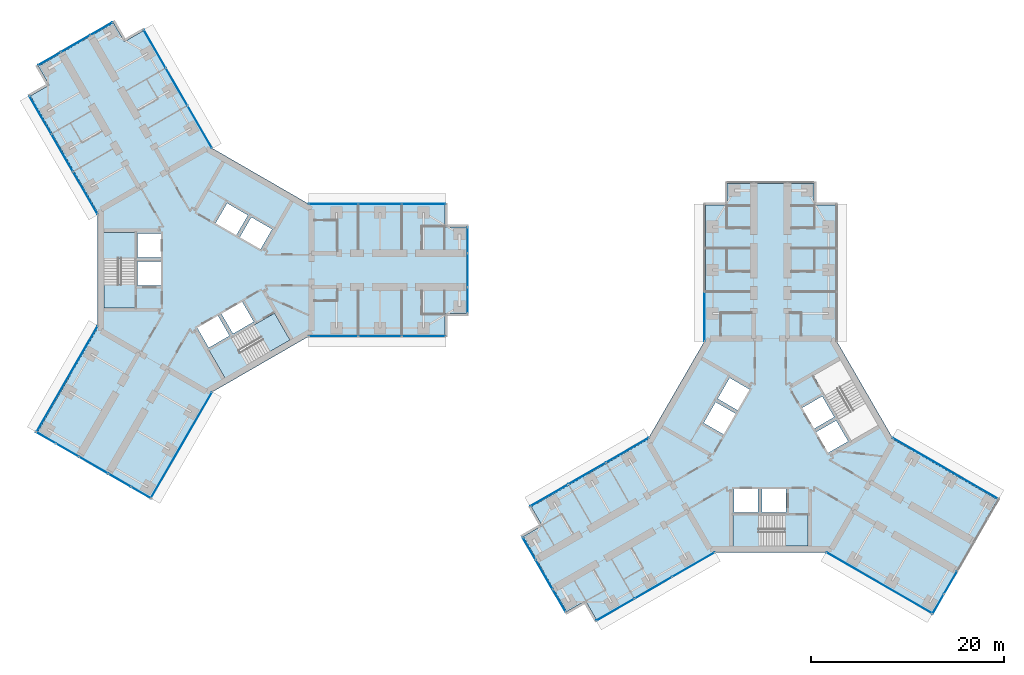
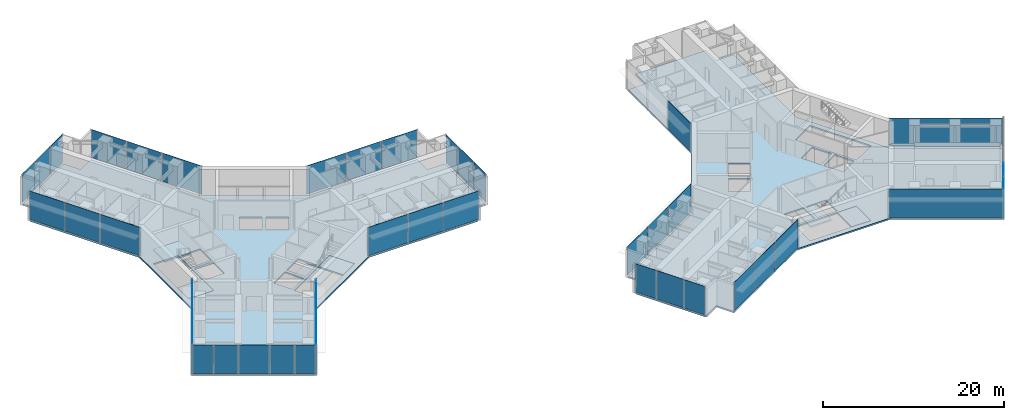
# One storey, part 13 of 23: 39 plates, 8 slabs, 19 elements without a shape of their own.
"""IFC4 building model written with IfcOpenShell, lengths in metres."""

from ifc_helpers import new_model, si_unit, direction, frame, origin, origin_2d, place, context, subcontext, project, spatial, polyline, rectangle, outline, extrude, material, layer, layer_set, type_object, element, aggregate, save


model = new_model("IFC4")

# Units and contexts
model_context = context("Model", 3, precision=1e-05, world=origin(), true_north=direction((0.0, 1.0)))
body_context = subcontext(model_context, "Body", "Model", "MODEL_VIEW")
ifc_project = project(units=[si_unit("LENGTHUNIT", "METRE"), si_unit("AREAUNIT", "SQUARE_METRE"), si_unit("VOLUMEUNIT", "CUBIC_METRE"), si_unit("PLANEANGLEUNIT", "RADIAN"), si_unit("MASSUNIT", "GRAM", prefix="KILO")], contexts=[model_context])

# Site, building, storey
site_placement = place(None, origin())
site = spatial("IfcSite", under=ifc_project, at=site_placement, CompositionType="ELEMENT")
building_placement = place(site_placement, origin())
building = spatial("IfcBuilding", under=site, at=building_placement, Name="Upepo Twin Towers", CompositionType="ELEMENT")
storey_placement = place(building_placement, frame((0.0, 0.0, 153.5)))
storey = spatial("IfcBuildingStorey", under=building, at=storey_placement, Name="L37", CompositionType="ELEMENT", Elevation=153.5)

# Curtain wall, plates
ifc_material_1 = material(Name="Aluminium and fritted glass", Category="aluminium")
curtain_wall_type = type_object("IfcCurtainWallType", Name="Tower curtain wall TW2, fritted glass", PredefinedType="NOTDEFINED", material=ifc_material_1)
curtain_wall_1_placement = place(storey_placement, origin())
curtain_wall_1 = element("IfcCurtainWall", 1, at=curtain_wall_1_placement, inside=storey, type_object=curtain_wall_type, Name="T1 L37 wing A flank L curtain wall", PredefinedType="NOTDEFINED")
ifc_material_2 = material(Name="Ceramic-fritted laminated glass", Category="glass")
ifc_layer_1 = layer(ifc_material_2, 0.031982421875)
ifc_layer_set_1 = layer_set([ifc_layer_1], Name="Fritted glass panel, 45 per cent dot frit, 32 mm double glazed")
plate_type_1 = type_object("IfcPlateType", Name="Fritted glass panel, 45 per cent dot frit, 32 mm double glazed", PredefinedType="CURTAIN_PANEL", material=ifc_layer_set_1)
plate_1_placement = place(storey_placement, frame((13.184814453125, 6.85009765625, 0.14990234375), z_axis=(0.0, 0.0, 1.0), x_axis=(1.0, 0.0, 0.0)))
plate_1 = element("IfcPlate", 2, at=plate_1_placement, type_object=plate_type_1, Name="T1 L37 wing A flank L curtain wall panel 1", PredefinedType="CURTAIN_PANEL", context=body_context, shape_type="SweptSolid", body=[
    extrude(rectangle(XDim=5.0654296875, YDim=0.031982421875, at=origin_2d()), origin(), (0.0, 0.0, 1.0), 3.85009765625),
])
plate_2_placement = place(storey_placement, frame((18.0, 6.85009765625, 0.14990234375), z_axis=(0.0, 0.0, 1.0), x_axis=(1.0, 0.0, 0.0)))
plate_2 = element("IfcPlate", 3, at=plate_2_placement, type_object=plate_type_1, Name="T1 L37 wing A flank L curtain wall panel 2", PredefinedType="CURTAIN_PANEL", context=body_context, shape_type="SweptSolid", body=[
    extrude(rectangle(XDim=4.43505859375, YDim=0.031982421875, at=origin_2d()), origin(), (0.0, 0.0, 1.0), 3.85009765625),
])
plate_3_placement = place(storey_placement, frame((22.53369140625, 6.85009765625, 0.14990234375), z_axis=(0.0, 0.0, 1.0), x_axis=(1.0, 0.0, 0.0)))
plate_3 = element("IfcPlate", 4, at=plate_3_placement, type_object=plate_type_1, Name="T1 L37 wing A flank L curtain wall panel 3", PredefinedType="CURTAIN_PANEL", context=body_context, shape_type="SweptSolid", body=[
    extrude(rectangle(XDim=4.50244140625, YDim=0.031982421875, at=origin_2d()), origin(), (0.0, 0.0, 1.0), 3.85009765625),
])
aggregate(curtain_wall_1, [plate_1, plate_2, plate_3])

curtain_wall_2_placement = place(storey_placement, origin())
curtain_wall_2 = element("IfcCurtainWall", 5, at=curtain_wall_2_placement, inside=storey, type_object=curtain_wall_type, Name="T1 L37 wing A flank R curtain wall", PredefinedType="NOTDEFINED")
plate_4_placement = place(storey_placement, frame((22.53369140625, -6.85009765625, 0.14990234375), z_axis=(0.0, 0.0, 1.0), x_axis=(-1.0, 0.0, 0.0)))
plate_4 = element("IfcPlate", 6, at=plate_4_placement, type_object=plate_type_1, Name="T1 L37 wing A flank R curtain wall panel 1", PredefinedType="CURTAIN_PANEL", context=body_context, shape_type="SweptSolid", body=[
    extrude(rectangle(XDim=4.50244140625, YDim=0.031982421875, at=origin_2d()), origin(), (0.0, 0.0, 1.0), 3.85009765625),
])
plate_5_placement = place(storey_placement, frame((18.0, -6.85009765625, 0.14990234375), z_axis=(0.0, 0.0, 1.0), x_axis=(-1.0, 0.0, 0.0)))
plate_5 = element("IfcPlate", 7, at=plate_5_placement, type_object=plate_type_1, Name="T1 L37 wing A flank R curtain wall panel 2", PredefinedType="CURTAIN_PANEL", context=body_context, shape_type="SweptSolid", body=[
    extrude(rectangle(XDim=4.43505859375, YDim=0.031982421875, at=origin_2d()), origin(), (0.0, 0.0, 1.0), 3.85009765625),
])
plate_6_placement = place(storey_placement, frame((13.184814453125, -6.85009765625, 0.14990234375), z_axis=(0.0, 0.0, 1.0), x_axis=(-1.0, 0.0, 0.0)))
plate_6 = element("IfcPlate", 8, at=plate_6_placement, type_object=plate_type_1, Name="T1 L37 wing A flank R curtain wall panel 3", PredefinedType="CURTAIN_PANEL", context=body_context, shape_type="SweptSolid", body=[
    extrude(rectangle(XDim=5.0654296875, YDim=0.031982421875, at=origin_2d()), origin(), (0.0, 0.0, 1.0), 3.85009765625),
])
aggregate(curtain_wall_2, [plate_4, plate_5, plate_6])

# Curtain wall, plate
curtain_wall_3_placement = place(storey_placement, origin())
curtain_wall_3 = element("IfcCurtainWall", 9, at=curtain_wall_3_placement, inside=storey, type_object=curtain_wall_type, Name="T1 L37 wing A nose curtain wall", PredefinedType="NOTDEFINED")
plate_7_placement = place(storey_placement, frame((27.10009765625, 0.0, 0.14990234375), z_axis=(0.0, 0.0, 1.0), x_axis=(0.0, 1.0, 0.0)))
plate_7 = element("IfcPlate", 10, at=plate_7_placement, type_object=plate_type_1, Name="T1 L37 wing A nose curtain wall panel 2", PredefinedType="CURTAIN_PANEL", context=body_context, shape_type="SweptSolid", body=[
    extrude(rectangle(XDim=3.43505859375, YDim=0.031982421875, at=origin_2d()), origin(), (0.0, 0.0, 1.0), 3.85009765625),
])

# Curtain wall, plates
curtain_wall_4_placement = place(storey_placement, origin())
curtain_wall_4 = element("IfcCurtainWall", 11, at=curtain_wall_4_placement, inside=storey, type_object=curtain_wall_type, Name="T1 L37 wing B flank L curtain wall", PredefinedType="NOTDEFINED")
plate_8_placement = place(storey_placement, frame((-12.524658203125, 7.993408203125, 0.14990234375), z_axis=(0.0, 0.0, 1.0), x_axis=(-0.500000010308, 0.866025397833, 0.0)))
plate_8 = element("IfcPlate", 12, at=plate_8_placement, type_object=plate_type_1, Name="T1 L37 wing B flank L curtain wall panel 1", PredefinedType="CURTAIN_PANEL", context=body_context, shape_type="SweptSolid", body=[
    extrude(rectangle(XDim=5.0654296875, YDim=0.031982421875, at=origin_2d()), origin(), (0.0, 0.0, 1.0), 3.85009765625),
])
plate_9_placement = place(storey_placement, frame((-14.932373046875, 12.16357421875, 0.14990234375), z_axis=(0.0, 0.0, 1.0), x_axis=(-0.500000010308, 0.866025397833, 0.0)))
plate_9 = element("IfcPlate", 13, at=plate_9_placement, type_object=plate_type_1, Name="T1 L37 wing B flank L curtain wall panel 2", PredefinedType="CURTAIN_PANEL", context=body_context, shape_type="SweptSolid", body=[
    extrude(rectangle(XDim=4.43505859375, YDim=0.031982421875, at=origin_2d()), origin(), (0.0, 0.0, 1.0), 3.85009765625),
])
plate_10_placement = place(storey_placement, frame((-17.19921875, 16.08984375, 0.14990234375), z_axis=(0.0, 0.0, 1.0), x_axis=(-0.500000010308, 0.866025397833, 0.0)))
plate_10 = element("IfcPlate", 14, at=plate_10_placement, type_object=plate_type_1, Name="T1 L37 wing B flank L curtain wall panel 3", PredefinedType="CURTAIN_PANEL", context=body_context, shape_type="SweptSolid", body=[
    extrude(rectangle(XDim=4.50244140625, YDim=0.031982421875, at=origin_2d()), origin(), (0.0, 0.0, 1.0), 3.85009765625),
])
aggregate(curtain_wall_4, [plate_8, plate_9, plate_10])

curtain_wall_5_placement = place(storey_placement, origin())
curtain_wall_5 = element("IfcCurtainWall", 15, at=curtain_wall_5_placement, inside=storey, type_object=curtain_wall_type, Name="T1 L37 wing B flank R curtain wall", PredefinedType="NOTDEFINED")
plate_11_placement = place(storey_placement, frame((-5.334716796875, 22.939697265625, 0.14990234375), z_axis=(0.0, 0.0, 1.0), x_axis=(0.500000010308, -0.866025397833, 0.0)))
plate_11 = element("IfcPlate", 16, at=plate_11_placement, type_object=plate_type_1, Name="T1 L37 wing B flank R curtain wall panel 1", PredefinedType="CURTAIN_PANEL", context=body_context, shape_type="SweptSolid", body=[
    extrude(rectangle(XDim=4.50244140625, YDim=0.031982421875, at=origin_2d()), origin(), (0.0, 0.0, 1.0), 3.85009765625),
])
plate_12_placement = place(storey_placement, frame((-3.067626953125, 19.013427734375, 0.14990234375), z_axis=(0.0, 0.0, 1.0), x_axis=(0.500000010308, -0.866025397833, 0.0)))
plate_12 = element("IfcPlate", 17, at=plate_12_placement, type_object=plate_type_1, Name="T1 L37 wing B flank R curtain wall panel 2", PredefinedType="CURTAIN_PANEL", context=body_context, shape_type="SweptSolid", body=[
    extrude(rectangle(XDim=4.43505859375, YDim=0.031982421875, at=origin_2d()), origin(), (0.0, 0.0, 1.0), 3.85009765625),
])
plate_13_placement = place(storey_placement, frame((-0.66015625, 14.84326171875, 0.14990234375), z_axis=(0.0, 0.0, 1.0), x_axis=(0.500000010308, -0.866025397833, 0.0)))
plate_13 = element("IfcPlate", 18, at=plate_13_placement, type_object=plate_type_1, Name="T1 L37 wing B flank R curtain wall panel 3", PredefinedType="CURTAIN_PANEL", context=body_context, shape_type="SweptSolid", body=[
    extrude(rectangle(XDim=5.0654296875, YDim=0.031982421875, at=origin_2d()), origin(), (0.0, 0.0, 1.0), 3.85009765625),
])
aggregate(curtain_wall_5, [plate_11, plate_12, plate_13])

# Curtain wall, plate
curtain_wall_6_placement = place(storey_placement, origin())
curtain_wall_6 = element("IfcCurtainWall", 19, at=curtain_wall_6_placement, inside=storey, type_object=curtain_wall_type, Name="T1 L37 wing B nose curtain wall", PredefinedType="NOTDEFINED")
plate_14_placement = place(storey_placement, frame((-13.550048828125, 23.46923828125, 0.14990234375), z_axis=(0.0, 0.0, 1.0), x_axis=(-0.866025386174, -0.500000030502, 0.0)))
plate_14 = element("IfcPlate", 20, at=plate_14_placement, type_object=plate_type_1, Name="T1 L37 wing B nose curtain wall panel 2", PredefinedType="CURTAIN_PANEL", context=body_context, shape_type="SweptSolid", body=[
    extrude(rectangle(XDim=3.43505859375, YDim=0.031982421875, at=origin_2d()), origin(), (0.0, 0.0, 1.0), 3.85009765625),
])

curtain_wall_7_placement = place(storey_placement, origin())
curtain_wall_7 = element("IfcCurtainWall", 21, at=curtain_wall_7_placement, inside=storey, type_object=curtain_wall_type, Name="T1 L37 wing C flank L curtain wall", PredefinedType="NOTDEFINED")
plate_15_placement = place(storey_placement, frame((-2.552001953125, -18.1201171875, 0.14990234375), z_axis=(0.0, 0.0, 1.0), x_axis=(-0.50000000792, -0.866025399212, 0.0)))
plate_15 = element("IfcPlate", 22, at=plate_15_placement, type_object=plate_type_1, Name="T1 L37 wing C flank L curtain wall panel 1", PredefinedType="CURTAIN_PANEL", context=body_context, shape_type="SweptSolid", body=[
    extrude(rectangle(XDim=12.6328125, YDim=0.031982421875, at=origin_2d()), origin(), (0.0, 0.0, 1.0), 3.85009765625),
])
aggregate(curtain_wall_7, [plate_15])

curtain_wall_8_placement = place(storey_placement, origin())
curtain_wall_8 = element("IfcCurtainWall", 23, at=curtain_wall_8_placement, inside=storey, type_object=curtain_wall_type, Name="T1 L37 wing C flank R curtain wall", PredefinedType="NOTDEFINED")
plate_16_placement = place(storey_placement, frame((-14.41650390625, -11.270263671875, 0.14990234375), z_axis=(0.0, 0.0, 1.0), x_axis=(0.50000000792, 0.866025399212, 0.0)))
plate_16 = element("IfcPlate", 24, at=plate_16_placement, type_object=plate_type_1, Name="T1 L37 wing C flank R curtain wall panel 1", PredefinedType="CURTAIN_PANEL", context=body_context, shape_type="SweptSolid", body=[
    extrude(rectangle(XDim=12.6328125, YDim=0.031982421875, at=origin_2d()), origin(), (0.0, 0.0, 1.0), 3.85009765625),
])
aggregate(curtain_wall_8, [plate_16])

# Curtain wall, plates
curtain_wall_9_placement = place(storey_placement, origin())
curtain_wall_9 = element("IfcCurtainWall", 25, at=curtain_wall_9_placement, inside=storey, type_object=curtain_wall_type, Name="T1 L37 wing C nose curtain wall", PredefinedType="NOTDEFINED")
plate_17_placement = place(storey_placement, frame((-14.38134765625, -18.6591796875, 0.14990234375), z_axis=(0.0, 0.0, 1.0), x_axis=(0.866025419745, -0.499999972355, 0.0)))
plate_17 = element("IfcPlate", 26, at=plate_17_placement, type_object=plate_type_1, Name="T1 L37 wing C nose curtain wall panel 2", PredefinedType="CURTAIN_PANEL", context=body_context, shape_type="SweptSolid", body=[
    extrude(rectangle(XDim=2.68505859375, YDim=0.031982421875, at=origin_2d()), origin(), (0.0, 0.0, 1.0), 3.85009765625),
])
plate_18_placement = place(storey_placement, frame((-11.675048828125, -20.2216796875, 0.14990234375), z_axis=(0.0, 0.0, 1.0), x_axis=(0.866025419745, -0.499999972355, 0.0)))
plate_18 = element("IfcPlate", 27, at=plate_18_placement, type_object=plate_type_1, Name="T1 L37 wing C nose curtain wall panel 3", PredefinedType="CURTAIN_PANEL", context=body_context, shape_type="SweptSolid", body=[
    extrude(rectangle(XDim=3.43505859375, YDim=0.031982421875, at=origin_2d()), origin(), (0.0, 0.0, 1.0), 3.85009765625),
])
plate_19_placement = place(storey_placement, frame((-8.96875, -21.7841796875, 0.14990234375), z_axis=(0.0, 0.0, 1.0), x_axis=(0.866025419745, -0.499999972355, 0.0)))
plate_19 = element("IfcPlate", 28, at=plate_19_placement, type_object=plate_type_1, Name="T1 L37 wing C nose curtain wall panel 4", PredefinedType="CURTAIN_PANEL", context=body_context, shape_type="SweptSolid", body=[
    extrude(rectangle(XDim=2.68505859375, YDim=0.031982421875, at=origin_2d()), origin(), (0.0, 0.0, 1.0), 3.85009765625),
])

# Curtain wall, plate
curtain_wall_10_placement = place(storey_placement, origin())
curtain_wall_10 = element("IfcCurtainWall", 29, at=curtain_wall_10_placement, inside=storey, type_object=curtain_wall_type, Name="T2 L37 wing A flank L curtain wall", PredefinedType="NOTDEFINED")
plate_20_placement = place(storey_placement, frame((51.64990234375, -4.815185546875, 0.14990234375), z_axis=(0.0, 0.0, 1.0), x_axis=(0.0, 1.0, 0.0)))
plate_20 = element("IfcPlate", 30, at=plate_20_placement, type_object=plate_type_1, Name="T2 L37 wing A flank L curtain wall panel 1", PredefinedType="CURTAIN_PANEL", context=body_context, shape_type="SweptSolid", body=[
    extrude(rectangle(XDim=5.0654296875, YDim=0.031982421875, at=origin_2d()), origin(), (0.0, 0.0, 1.0), 3.85009765625),
])
aggregate(curtain_wall_10, [plate_20])

# Curtain wall, plates
curtain_wall_11_placement = place(storey_placement, origin())
curtain_wall_11 = element("IfcCurtainWall", 31, at=curtain_wall_11_placement, inside=storey, type_object=curtain_wall_type, Name="T2 L37 wing B flank L curtain wall", PredefinedType="NOTDEFINED")
plate_21_placement = place(storey_placement, frame((50.506591796875, -30.524658203125, 0.14990234375), z_axis=(0.0, 0.0, 1.0), x_axis=(-0.866025397833, -0.500000010308, 0.0)))
plate_21 = element("IfcPlate", 32, at=plate_21_placement, type_object=plate_type_1, Name="T2 L37 wing B flank L curtain wall panel 1", PredefinedType="CURTAIN_PANEL", context=body_context, shape_type="SweptSolid", body=[
    extrude(rectangle(XDim=5.0654296875, YDim=0.031982421875, at=origin_2d()), origin(), (0.0, 0.0, 1.0), 3.85009765625),
])
plate_22_placement = place(storey_placement, frame((46.33642578125, -32.932373046875, 0.14990234375), z_axis=(0.0, 0.0, 1.0), x_axis=(-0.866025397833, -0.500000010308, 0.0)))
plate_22 = element("IfcPlate", 33, at=plate_22_placement, type_object=plate_type_1, Name="T2 L37 wing B flank L curtain wall panel 2", PredefinedType="CURTAIN_PANEL", context=body_context, shape_type="SweptSolid", body=[
    extrude(rectangle(XDim=4.43505859375, YDim=0.031982421875, at=origin_2d()), origin(), (0.0, 0.0, 1.0), 3.85009765625),
])
plate_23_placement = place(storey_placement, frame((42.41015625, -35.19921875, 0.14990234375), z_axis=(0.0, 0.0, 1.0), x_axis=(-0.866025397833, -0.500000010308, 0.0)))
plate_23 = element("IfcPlate", 34, at=plate_23_placement, type_object=plate_type_1, Name="T2 L37 wing B flank L curtain wall panel 3", PredefinedType="CURTAIN_PANEL", context=body_context, shape_type="SweptSolid", body=[
    extrude(rectangle(XDim=4.50244140625, YDim=0.031982421875, at=origin_2d()), origin(), (0.0, 0.0, 1.0), 3.85009765625),
])
aggregate(curtain_wall_11, [plate_21, plate_22, plate_23])

curtain_wall_12_placement = place(storey_placement, origin())
curtain_wall_12 = element("IfcCurtainWall", 35, at=curtain_wall_12_placement, inside=storey, type_object=curtain_wall_type, Name="T2 L37 wing B flank R curtain wall", PredefinedType="NOTDEFINED")
plate_24_placement = place(storey_placement, frame((35.560302734375, -23.334716796875, 0.14990234375), z_axis=(0.0, 0.0, 1.0), x_axis=(0.866025397833, 0.500000010308, 0.0)))
plate_24 = element("IfcPlate", 36, at=plate_24_placement, type_object=plate_type_1, Name="T2 L37 wing B flank R curtain wall panel 1", PredefinedType="CURTAIN_PANEL", context=body_context, shape_type="SweptSolid", body=[
    extrude(rectangle(XDim=4.50244140625, YDim=0.031982421875, at=origin_2d()), origin(), (0.0, 0.0, 1.0), 3.85009765625),
])
plate_25_placement = place(storey_placement, frame((39.486572265625, -21.067626953125, 0.14990234375), z_axis=(0.0, 0.0, 1.0), x_axis=(0.866025397833, 0.500000010308, 0.0)))
plate_25 = element("IfcPlate", 37, at=plate_25_placement, type_object=plate_type_1, Name="T2 L37 wing B flank R curtain wall panel 2", PredefinedType="CURTAIN_PANEL", context=body_context, shape_type="SweptSolid", body=[
    extrude(rectangle(XDim=4.43505859375, YDim=0.031982421875, at=origin_2d()), origin(), (0.0, 0.0, 1.0), 3.85009765625),
])
plate_26_placement = place(storey_placement, frame((43.65673828125, -18.66015625, 0.14990234375), z_axis=(0.0, 0.0, 1.0), x_axis=(0.866025397833, 0.500000010308, 0.0)))
plate_26 = element("IfcPlate", 38, at=plate_26_placement, type_object=plate_type_1, Name="T2 L37 wing B flank R curtain wall panel 3", PredefinedType="CURTAIN_PANEL", context=body_context, shape_type="SweptSolid", body=[
    extrude(rectangle(XDim=5.0654296875, YDim=0.031982421875, at=origin_2d()), origin(), (0.0, 0.0, 1.0), 3.85009765625),
])
aggregate(curtain_wall_12, [plate_24, plate_25, plate_26])

# Curtain wall, plate
curtain_wall_13_placement = place(storey_placement, origin())
curtain_wall_13 = element("IfcCurtainWall", 39, at=curtain_wall_13_placement, inside=storey, type_object=curtain_wall_type, Name="T2 L37 wing B nose curtain wall", PredefinedType="NOTDEFINED")
plate_27_placement = place(storey_placement, frame((35.03076171875, -31.550048828125, 0.14990234375), z_axis=(0.0, 0.0, 1.0), x_axis=(0.500000030502, -0.866025386174, 0.0)))
plate_27 = element("IfcPlate", 40, at=plate_27_placement, type_object=plate_type_1, Name="T2 L37 wing B nose curtain wall panel 2", PredefinedType="CURTAIN_PANEL", context=body_context, shape_type="SweptSolid", body=[
    extrude(rectangle(XDim=3.43505859375, YDim=0.031982421875, at=origin_2d()), origin(), (0.0, 0.0, 1.0), 3.85009765625),
])

curtain_wall_14_placement = place(storey_placement, origin())
curtain_wall_14 = element("IfcCurtainWall", 41, at=curtain_wall_14_placement, inside=storey, type_object=curtain_wall_type, Name="T2 L37 wing C flank L curtain wall", PredefinedType="NOTDEFINED")
plate_28_placement = place(storey_placement, frame((76.6201171875, -20.552001953125, 0.14990234375), z_axis=(0.0, 0.0, 1.0), x_axis=(0.866025399212, -0.50000000792, 0.0)))
plate_28 = element("IfcPlate", 42, at=plate_28_placement, type_object=plate_type_1, Name="T2 L37 wing C flank L curtain wall panel 1", PredefinedType="CURTAIN_PANEL", context=body_context, shape_type="SweptSolid", body=[
    extrude(rectangle(XDim=12.6328125, YDim=0.031982421875, at=origin_2d()), origin(), (0.0, 0.0, 1.0), 3.85009765625),
])
aggregate(curtain_wall_14, [plate_28])

curtain_wall_15_placement = place(storey_placement, origin())
curtain_wall_15 = element("IfcCurtainWall", 43, at=curtain_wall_15_placement, inside=storey, type_object=curtain_wall_type, Name="T2 L37 wing C flank R curtain wall", PredefinedType="NOTDEFINED")
plate_29_placement = place(storey_placement, frame((69.770263671875, -32.41650390625, 0.14990234375), z_axis=(0.0, 0.0, 1.0), x_axis=(-0.866025399212, 0.50000000792, 0.0)))
plate_29 = element("IfcPlate", 44, at=plate_29_placement, type_object=plate_type_1, Name="T2 L37 wing C flank R curtain wall panel 1", PredefinedType="CURTAIN_PANEL", context=body_context, shape_type="SweptSolid", body=[
    extrude(rectangle(XDim=12.6328125, YDim=0.031982421875, at=origin_2d()), origin(), (0.0, 0.0, 1.0), 3.85009765625),
])
aggregate(curtain_wall_15, [plate_29])

curtain_wall_16_placement = place(storey_placement, origin())
curtain_wall_16 = element("IfcCurtainWall", 45, at=curtain_wall_16_placement, inside=storey, type_object=curtain_wall_type, Name="T2 L37 wing C nose curtain wall", PredefinedType="NOTDEFINED")
plate_30_placement = place(storey_placement, frame((77.1591796875, -32.38134765625, 0.14990234375), z_axis=(0.0, 0.0, 1.0), x_axis=(0.499999972355, 0.866025419745, 0.0)))
plate_30 = element("IfcPlate", 46, at=plate_30_placement, type_object=plate_type_1, Name="T2 L37 wing C nose curtain wall panel 2", PredefinedType="CURTAIN_PANEL", context=body_context, shape_type="SweptSolid", body=[
    extrude(rectangle(XDim=2.68505859375, YDim=0.031982421875, at=origin_2d()), origin(), (0.0, 0.0, 1.0), 3.85009765625),
])

# Plate
ifc_material_3 = material(Name="Clear laminated glass in opening sash", Category="glass")
ifc_layer_2 = layer(ifc_material_3, 0.031982421875)
ifc_layer_set_2 = layer_set([ifc_layer_2], Name="Operable glass panel, 32 mm double glazed")
plate_type_2 = type_object("IfcPlateType", Name="Operable glass panel, 32 mm double glazed", PredefinedType="CURTAIN_PANEL", material=ifc_layer_set_2)
plate_31_placement = place(storey_placement, frame((27.10009765625, -3.108642578125, 0.14990234375), z_axis=(0.0, 0.0, 1.0), x_axis=(0.0, 1.0, 0.0)))
plate_31 = element("IfcPlate", 47, at=plate_31_placement, type_object=plate_type_2, Name="T1 L37 wing A nose curtain wall panel 1", PredefinedType="CURTAIN_PANEL", context=body_context, shape_type="SweptSolid", body=[
    extrude(rectangle(XDim=2.652587890625, YDim=0.031982421875, at=origin_2d()), origin(), (0.0, 0.0, 1.0), 3.85009765625),
])

plate_32_placement = place(storey_placement, frame((27.10009765625, 3.108642578125, 0.14990234375), z_axis=(0.0, 0.0, 1.0), x_axis=(0.0, 1.0, 0.0)))
plate_32 = element("IfcPlate", 48, at=plate_32_placement, type_object=plate_type_2, Name="T1 L37 wing A nose curtain wall panel 3", PredefinedType="CURTAIN_PANEL", context=body_context, shape_type="SweptSolid", body=[
    extrude(rectangle(XDim=2.652587890625, YDim=0.031982421875, at=origin_2d()), origin(), (0.0, 0.0, 1.0), 3.85009765625),
])

aggregate(curtain_wall_3, [plate_31, plate_7, plate_32])

plate_33_placement = place(storey_placement, frame((-10.857666015625, 25.023681640625, 0.14990234375), z_axis=(0.0, 0.0, 1.0), x_axis=(-0.866025386174, -0.500000030502, 0.0)))
plate_33 = element("IfcPlate", 49, at=plate_33_placement, type_object=plate_type_2, Name="T1 L37 wing B nose curtain wall panel 1", PredefinedType="CURTAIN_PANEL", context=body_context, shape_type="SweptSolid", body=[
    extrude(rectangle(XDim=2.652587890625, YDim=0.031982421875, at=origin_2d()), origin(), (0.0, 0.0, 1.0), 3.85009765625),
])

plate_34_placement = place(storey_placement, frame((-16.2421875, 21.914794921875, 0.14990234375), z_axis=(0.0, 0.0, 1.0), x_axis=(-0.866025386174, -0.500000030502, 0.0)))
plate_34 = element("IfcPlate", 50, at=plate_34_placement, type_object=plate_type_2, Name="T1 L37 wing B nose curtain wall panel 3", PredefinedType="CURTAIN_PANEL", context=body_context, shape_type="SweptSolid", body=[
    extrude(rectangle(XDim=2.652587890625, YDim=0.031982421875, at=origin_2d()), origin(), (0.0, 0.0, 1.0), 3.85009765625),
])

aggregate(curtain_wall_6, [plate_33, plate_14, plate_34])

plate_35_placement = place(storey_placement, frame((-16.618896484375, -17.367431640625, 0.14990234375), z_axis=(0.0, 0.0, 1.0), x_axis=(0.866025419745, -0.499999972355, 0.0)))
plate_35 = element("IfcPlate", 51, at=plate_35_placement, type_object=plate_type_2, Name="T1 L37 wing C nose curtain wall panel 1", PredefinedType="CURTAIN_PANEL", context=body_context, shape_type="SweptSolid", body=[
    extrude(rectangle(XDim=2.3525390625, YDim=0.031982421875, at=origin_2d()), origin(), (0.0, 0.0, 1.0), 3.85009765625),
])

plate_36_placement = place(storey_placement, frame((-6.73095703125, -23.076171875, 0.14990234375), z_axis=(0.0, 0.0, 1.0), x_axis=(0.866025419745, -0.499999972355, 0.0)))
plate_36 = element("IfcPlate", 52, at=plate_36_placement, type_object=plate_type_2, Name="T1 L37 wing C nose curtain wall panel 5", PredefinedType="CURTAIN_PANEL", context=body_context, shape_type="SweptSolid", body=[
    extrude(rectangle(XDim=2.3525390625, YDim=0.031982421875, at=origin_2d()), origin(), (0.0, 0.0, 1.0), 3.85009765625),
])

aggregate(curtain_wall_9, [plate_35, plate_17, plate_18, plate_19, plate_36])

plate_37_placement = place(storey_placement, frame((33.476318359375, -28.857666015625, 0.14990234375), z_axis=(0.0, 0.0, 1.0), x_axis=(0.500000030502, -0.866025386174, 0.0)))
plate_37 = element("IfcPlate", 53, at=plate_37_placement, type_object=plate_type_2, Name="T2 L37 wing B nose curtain wall panel 1", PredefinedType="CURTAIN_PANEL", context=body_context, shape_type="SweptSolid", body=[
    extrude(rectangle(XDim=2.652587890625, YDim=0.031982421875, at=origin_2d()), origin(), (0.0, 0.0, 1.0), 3.85009765625),
])

plate_38_placement = place(storey_placement, frame((36.585205078125, -34.2421875, 0.14990234375), z_axis=(0.0, 0.0, 1.0), x_axis=(0.500000030502, -0.866025386174, 0.0)))
plate_38 = element("IfcPlate", 54, at=plate_38_placement, type_object=plate_type_2, Name="T2 L37 wing B nose curtain wall panel 3", PredefinedType="CURTAIN_PANEL", context=body_context, shape_type="SweptSolid", body=[
    extrude(rectangle(XDim=2.652587890625, YDim=0.031982421875, at=origin_2d()), origin(), (0.0, 0.0, 1.0), 3.85009765625),
])

aggregate(curtain_wall_13, [plate_37, plate_27, plate_38])

plate_39_placement = place(storey_placement, frame((75.867431640625, -34.618896484375, 0.14990234375), z_axis=(0.0, 0.0, 1.0), x_axis=(0.499999972355, 0.866025419745, 0.0)))
plate_39 = element("IfcPlate", 55, at=plate_39_placement, type_object=plate_type_2, Name="T2 L37 wing C nose curtain wall panel 1", PredefinedType="CURTAIN_PANEL", context=body_context, shape_type="SweptSolid", body=[
    extrude(rectangle(XDim=2.3525390625, YDim=0.031982421875, at=origin_2d()), origin(), (0.0, 0.0, 1.0), 3.85009765625),
])

aggregate(curtain_wall_16, [plate_39, plate_30])

# Stair, slabs
ifc_material_4 = material(Name="Concrete C40/50", Category="concrete")
stair_type = type_object("IfcStairType", Name="Core stair, two flights", PredefinedType="HALF_TURN_STAIR", material=ifc_material_4)
stair_1_placement = place(storey_placement, origin())
stair_1 = element("IfcStair", 56, at=stair_1_placement, inside=storey, type_object=stair_type, Name="T1 stair S1 L37", PredefinedType="HALF_TURN_STAIR")
ifc_material_5 = material(Name="Concrete C40/50", Category="concrete")
ifc_layer_3 = layer(ifc_material_5, 0.199951171875)
ifc_layer_set_3 = layer_set([ifc_layer_3], Name="Concrete C40/50")
slab_type_1 = type_object("IfcSlabType", Name="Stair landing 200 RC", PredefinedType="LANDING", material=ifc_layer_set_3)
slab_1_placement = place(storey_placement, frame((0.0, 0.0, -0.199951171875)))
slab_1 = element("IfcSlab", 57, at=slab_1_placement, type_object=slab_type_1, Name="Stair S1 landing 1", PredefinedType="LANDING", context=body_context, shape_type="SweptSolid", body=[
    extrude(outline(polyline([(-7.39990234375, -1.419921875), (-10.6083984375, -1.419921875), (-10.6083984375, -3.89990234375), (-7.39990234375, -3.89990234375), (-7.39990234375, -1.419921875)])), origin(), (0.0, 0.0, 1.0), 0.199951171875),
])
slab_2_placement = place(storey_placement, frame((0.0, 0.0, 1.800048828125)))
slab_2 = element("IfcSlab", 58, at=slab_2_placement, type_object=slab_type_1, Name="Stair S1 landing 2", PredefinedType="LANDING", context=body_context, shape_type="SweptSolid", body=[
    extrude(outline(polyline([(-7.300048828125, 3.89990234375), (-10.708251953125, 3.89990234375), (-10.708251953125, 1.179931640625), (-7.300048828125, 1.179931640625), (-7.300048828125, 3.89990234375)])), origin(), (0.0, 0.0, 1.0), 0.199951171875),
])
aggregate(stair_1, [slab_1, slab_2])

stair_2_placement = place(storey_placement, origin())
stair_2 = element("IfcStair", 59, at=stair_2_placement, inside=storey, type_object=stair_type, Name="T1 stair S2 L37", PredefinedType="HALF_TURN_STAIR")
slab_3_placement = place(storey_placement, frame((0.0, 0.0, -0.199951171875)))
slab_3 = element("IfcSlab", 60, at=slab_3_placement, type_object=slab_type_1, Name="Stair S2 landing 1", PredefinedType="LANDING", context=body_context, shape_type="SweptSolid", body=[
    extrude(outline(polyline([(4.9296875, -5.698486328125), (6.533935546875, -8.47705078125), (8.681640625, -7.237060546875), (7.077392578125, -4.45849609375), (4.9296875, -5.698486328125)])), origin(), (0.0, 0.0, 1.0), 0.199951171875),
])
slab_4_placement = place(storey_placement, frame((0.0, 0.0, 1.800048828125)))
slab_4 = element("IfcSlab", 61, at=slab_4_placement, type_object=slab_type_1, Name="Stair S2 landing 2", PredefinedType="LANDING", context=body_context, shape_type="SweptSolid", body=[
    extrude(outline(polyline([(0.2724609375, -8.27197265625), (1.9765625, -11.2236328125), (4.332275390625, -9.86376953125), (2.628173828125, -6.911865234375), (0.2724609375, -8.27197265625)])), origin(), (0.0, 0.0, 1.0), 0.199951171875),
])
aggregate(stair_2, [slab_3, slab_4])

stair_3_placement = place(storey_placement, origin())
stair_3 = element("IfcStair", 62, at=stair_3_placement, inside=storey, type_object=stair_type, Name="T2 stair S1 L37", PredefinedType="HALF_TURN_STAIR")
slab_5_placement = place(storey_placement, frame((0.0, 0.0, -0.199951171875)))
slab_5 = element("IfcSlab", 63, at=slab_5_placement, type_object=slab_type_1, Name="Stair S1 landing 1", PredefinedType="LANDING", context=body_context, shape_type="SweptSolid", body=[
    extrude(outline(polyline([(59.919921875, -25.39990234375), (59.919921875, -28.6083984375), (62.39990234375, -28.6083984375), (62.39990234375, -25.39990234375), (59.919921875, -25.39990234375)])), origin(), (0.0, 0.0, 1.0), 0.199951171875),
])
slab_6_placement = place(storey_placement, frame((0.0, 0.0, 1.800048828125)))
slab_6 = element("IfcSlab", 64, at=slab_6_placement, type_object=slab_type_1, Name="Stair S1 landing 2", PredefinedType="LANDING", context=body_context, shape_type="SweptSolid", body=[
    extrude(outline(polyline([(54.60009765625, -25.300048828125), (54.60009765625, -28.708251953125), (57.320068359375, -28.708251953125), (57.320068359375, -25.300048828125), (54.60009765625, -25.300048828125)])), origin(), (0.0, 0.0, 1.0), 0.199951171875),
])
aggregate(stair_3, [slab_5, slab_6])

# Slabs
ifc_material_6 = material(Name="Concrete C40/50", Category="concrete")
ifc_layer_4 = layer(ifc_material_6, 0.199951171875)
ifc_layer_set_4 = layer_set([ifc_layer_4], Name="Concrete C40/50")
slab_type_2 = type_object("IfcSlabType", Name="Tower floor slab 200 RC", PredefinedType="FLOOR", material=ifc_layer_set_4)
slab_7_placement = place(storey_placement, frame((0.0, 0.0, -0.199951171875)))
element("IfcSlab", 65, at=slab_7_placement, inside=storey, type_object=slab_type_2, Name="T1 L37 floor slab", PredefinedType="FLOOR", context=body_context, shape_type="SweptSolid", body=[
    extrude(outline(polyline([(-17.470703125, -16.760009765625), (-11.25830078125, -6.0), (-11.25830078125, 6.0), (-18.220703125, 18.05908203125), (-16.272216796875, 19.18408203125), (-17.397216796875, 21.132568359375), (-9.602783203125, 25.632568359375), (-8.477783203125, 23.68408203125), (-6.529296875, 24.80908203125), (0.43310546875, 12.75), (10.825439453125, 6.75), (24.75, 6.75), (24.75, 4.5), (27.0, 4.5), (27.0, -4.5), (24.75, -4.5), (24.75, -6.75), (10.825439453125, -6.75), (0.43310546875, -12.75), (-5.779296875, -23.510009765625), (-17.470703125, -16.760009765625)]), holes=[polyline([(5.640869140625, 2.17041015625), (6.8408203125, 4.248779296875), (4.67578125, 5.498779296875), (3.475830078125, 3.42041015625), (5.640869140625, 2.17041015625)]), polyline([(3.12939453125, 3.620361328125), (4.329345703125, 5.69873046875), (2.164306640625, 6.94873046875), (0.96435546875, 4.870361328125), (3.12939453125, 3.620361328125)]), polyline([(-4.699951171875, 3.800048828125), (-7.10009765625, 3.800048828125), (-7.10009765625, 1.300048828125), (-4.699951171875, 1.300048828125), (-4.699951171875, 3.800048828125)]), polyline([(-4.699951171875, 0.89990234375), (-7.10009765625, 0.89990234375), (-7.10009765625, -1.60009765625), (-4.699951171875, -1.60009765625), (-4.699951171875, 0.89990234375)]), polyline([(-7.39990234375, 3.89990234375), (-10.6083984375, 3.89990234375), (-10.6083984375, -3.89990234375), (-7.39990234375, -3.89990234375), (-7.39990234375, 3.89990234375)]), polyline([(-0.94091796875, -5.97021484375), (0.259033203125, -8.048828125), (2.424072265625, -6.798828125), (1.22412109375, -4.72021484375), (-0.94091796875, -5.97021484375)]), polyline([(1.570556640625, -4.520263671875), (2.7705078125, -6.598876953125), (4.935546875, -5.348876953125), (3.735595703125, -3.270263671875), (1.570556640625, -4.520263671875)]), polyline([(0.322509765625, -8.358642578125), (1.9267578125, -11.136962890625), (8.681640625, -7.237060546875), (7.077392578125, -4.45849609375), (0.322509765625, -8.358642578125)])]), origin(), (0.0, 0.0, 1.0), 0.199951171875),
])
slab_8_placement = place(storey_placement, frame((0.0, 0.0, -0.199951171875)))
element("IfcSlab", 66, at=slab_8_placement, inside=storey, type_object=slab_type_2, Name="T2 L37 floor slab", PredefinedType="FLOOR", context=body_context, shape_type="SweptSolid", body=[
    extrude(outline(polyline([(75.260009765625, -35.470703125), (64.5, -29.25830078125), (52.5, -29.25830078125), (40.44091796875, -36.220703125), (39.31591796875, -34.272216796875), (37.367431640625, -35.397216796875), (32.867431640625, -27.602783203125), (34.81591796875, -26.477783203125), (33.69091796875, -24.529296875), (45.75, -17.56689453125), (51.75, -7.174560546875), (51.75, 6.75), (54.0, 6.75), (54.0, 9.0), (63.0, 9.0), (63.0, 6.75), (65.25, 6.75), (65.25, -7.174560546875), (71.25, -17.56689453125), (82.010009765625, -23.779296875), (75.260009765625, -35.470703125)]), holes=[polyline([(56.32958984375, -12.359130859375), (54.251220703125, -11.1591796875), (53.001220703125, -13.32421875), (55.07958984375, -14.524169921875), (56.32958984375, -12.359130859375)]), polyline([(54.879638671875, -14.87060546875), (52.80126953125, -13.670654296875), (51.55126953125, -15.835693359375), (53.629638671875, -17.03564453125), (54.879638671875, -14.87060546875)]), polyline([(54.699951171875, -22.699951171875), (54.699951171875, -25.10009765625), (57.199951171875, -25.10009765625), (57.199951171875, -22.699951171875), (54.699951171875, -22.699951171875)]), polyline([(57.60009765625, -22.699951171875), (57.60009765625, -25.10009765625), (60.10009765625, -25.10009765625), (60.10009765625, -22.699951171875), (57.60009765625, -22.699951171875)]), polyline([(54.60009765625, -25.39990234375), (54.60009765625, -28.6083984375), (62.39990234375, -28.6083984375), (62.39990234375, -25.39990234375), (54.60009765625, -25.39990234375)]), polyline([(64.47021484375, -18.94091796875), (66.548828125, -17.740966796875), (65.298828125, -15.575927734375), (63.22021484375, -16.77587890625), (64.47021484375, -18.94091796875)]), polyline([(63.020263671875, -16.429443359375), (65.098876953125, -15.2294921875), (63.848876953125, -13.064453125), (61.770263671875, -14.264404296875), (63.020263671875, -16.429443359375)]), polyline([(66.858642578125, -17.677490234375), (69.636962890625, -16.0732421875), (65.737060546875, -9.318359375), (62.95849609375, -10.922607421875), (66.858642578125, -17.677490234375)])]), origin(), (0.0, 0.0, 1.0), 0.199951171875),
])

save(model, "model.ifc")
